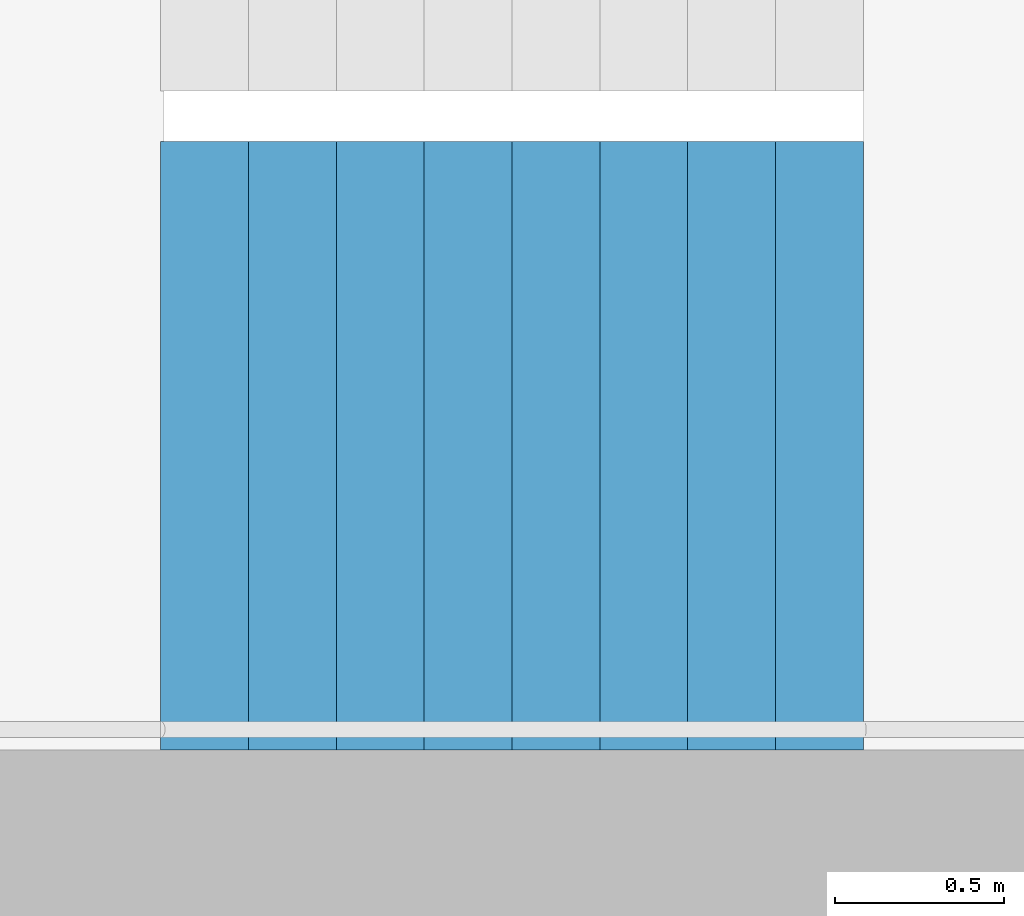
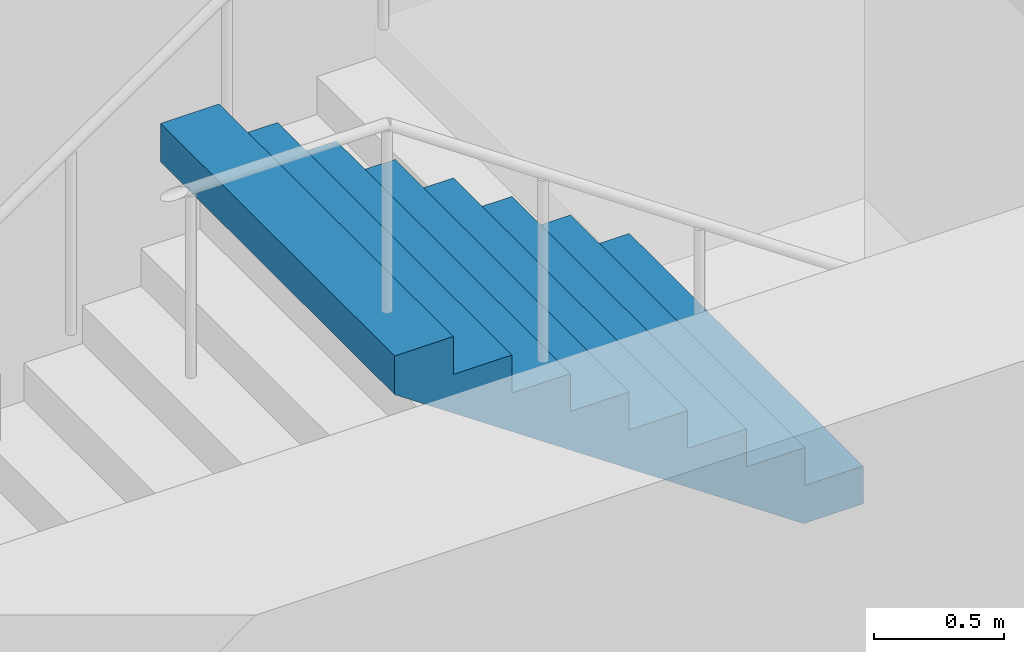
# One storey, part 21 of 25: 1 stair flight, 1 element without a shape of its own.
"""IFC4 building model written with IfcOpenShell, lengths in metres."""

from ifc_helpers import new_model, si_unit, direction, frame, origin, place, context, subcontext, project, spatial, triangles, material, type_object, element, aggregate, save


model = new_model("IFC4")

# Units and contexts
model_context = context("Model", 3, precision=1e-05, world=origin(), true_north=direction((0.0, 1.0)))
body_context = subcontext(model_context, "Body", "Model", "MODEL_VIEW")
ifc_project = project(units=[si_unit("LENGTHUNIT", "METRE"), si_unit("AREAUNIT", "SQUARE_METRE"), si_unit("VOLUMEUNIT", "CUBIC_METRE"), si_unit("PLANEANGLEUNIT", "RADIAN"), si_unit("MASSUNIT", "GRAM", prefix="KILO")], contexts=[model_context])

# Site, building, storey
site_placement = place(None, origin())
site = spatial("IfcSite", under=ifc_project, at=site_placement, CompositionType="ELEMENT")
building_placement = place(site_placement, origin())
building = spatial("IfcBuilding", under=site, at=building_placement, Name="Hakoniwa Tower and Hamabe Station Hall", CompositionType="ELEMENT")
storey_placement = place(building_placement, frame((0.0, 0.0, 147.0)))
storey = spatial("IfcBuildingStorey", under=building, at=storey_placement, Name="L41", CompositionType="ELEMENT", Elevation=147.0)

# Stair, stair flight
ifc_material_1 = material(Name="Concrete C40", Category="concrete")
stair_type = type_object("IfcStairType", Name="ESCAPE STAIR 1800", PredefinedType="HALF_TURN_STAIR", material=ifc_material_1)
stair_placement = place(storey_placement, origin())
stair = element("IfcStair", 1, at=stair_placement, inside=storey, type_object=stair_type, Name="Escape stair ST-4 L41", PredefinedType="HALF_TURN_STAIR")
ifc_material_2 = material(Name="Concrete C40", Category="concrete")
stair_flight_type = type_object("IfcStairFlightType", Name="STAIR FLIGHT 1800", PredefinedType="STRAIGHT", material=ifc_material_2)
stair_flight_placement = place(storey_placement, frame((25.47998046875, -6.60009765625, 1.60009765625), z_axis=(0.0, 0.0, 1.0), x_axis=(-1.0, 0.0, 0.0)))
stair_flight = element("IfcStairFlight", 2, at=stair_flight_placement, type_object=stair_flight_type, Name="ST-4 flight 2", NumberOfRisers=9, NumberOfTreads=8, PredefinedType="STRAIGHT", RiserHeight=0.177777778, TreadLength=0.26, context=body_context, shape_type="Tessellation", body=[
    triangles([(0.0, 0.89990234375, 0.0), (0.260009765625, 0.89990234375, 0.0), (0.265625, 0.89990234375, 0.0), (0.52001953125, 0.89990234375, 0.174072265625), (0.780029296875, 0.89990234375, 0.351806640625), (1.0400390625, 0.89990234375, 0.529541015625), (1.300048828125, 0.89990234375, 0.707275390625), (1.56005859375, 0.89990234375, 0.885009765625), (1.820068359375, 0.89990234375, 1.062744140625), (2.080078125, 0.89990234375, 1.24072265625), (2.080078125, 0.89990234375, 1.422119140625), (1.820068359375, 0.89990234375, 1.422119140625), (1.820068359375, 0.89990234375, 1.244384765625), (1.56005859375, 0.89990234375, 1.244384765625), (1.56005859375, 0.89990234375, 1.066650390625), (1.300048828125, 0.89990234375, 1.066650390625), (1.300048828125, 0.89990234375, 0.888916015625), (1.0400390625, 0.89990234375, 0.888916015625), (1.0400390625, 0.89990234375, 0.711181640625), (0.780029296875, 0.89990234375, 0.711181640625), (0.780029296875, 0.89990234375, 0.533447265625), (0.52001953125, 0.89990234375, 0.533447265625), (0.52001953125, 0.89990234375, 0.35546875), (0.265625, 0.89990234375, 0.35546875), (0.260009765625, 0.89990234375, 0.35546875), (0.260009765625, 0.89990234375, 0.177734375), (0.0, 0.89990234375, 0.177734375), (0.0, 0.06005859375, 0.0), (0.260009765625, 0.06005859375, 0.0), (0.265625, 0.06005859375, 0.0), (0.52001953125, 0.06005859375, 0.174072265625), (0.780029296875, 0.06005859375, 0.351806640625), (1.0400390625, 0.06005859375, 0.529541015625), (1.300048828125, 0.06005859375, 0.707275390625), (1.56005859375, 0.06005859375, 0.885009765625), (1.820068359375, 0.06005859375, 1.062744140625), (2.080078125, 0.06005859375, 1.24072265625), (2.080078125, 0.06005859375, 1.422119140625), (1.820068359375, 0.06005859375, 1.422119140625), (1.820068359375, 0.06005859375, 1.244384765625), (1.56005859375, 0.06005859375, 1.244384765625), (1.56005859375, 0.06005859375, 1.066650390625), (1.300048828125, 0.06005859375, 1.066650390625), (1.300048828125, 0.06005859375, 0.888916015625), (1.0400390625, 0.06005859375, 0.888916015625), (1.0400390625, 0.06005859375, 0.711181640625), (0.780029296875, 0.06005859375, 0.711181640625), (0.780029296875, 0.06005859375, 0.533447265625), (0.52001953125, 0.06005859375, 0.533447265625), (0.52001953125, 0.06005859375, 0.35546875), (0.265625, 0.06005859375, 0.35546875), (0.260009765625, 0.06005859375, 0.35546875), (0.260009765625, 0.06005859375, 0.177734375), (0.0, 0.06005859375, 0.177734375), (0.0, 0.04296875, 0.0), (0.260009765625, 0.04296875, 0.0), (0.265625, 0.04296875, 0.0), (0.52001953125, 0.04296875, 0.174072265625), (0.780029296875, 0.04296875, 0.351806640625), (1.0400390625, 0.04296875, 0.529541015625), (1.300048828125, 0.04296875, 0.707275390625), (1.56005859375, 0.04296875, 0.885009765625), (1.820068359375, 0.04296875, 1.062744140625), (2.080078125, 0.04296875, 1.24072265625), (2.080078125, 0.04296875, 1.422119140625), (1.820068359375, 0.04296875, 1.422119140625), (1.820068359375, 0.04296875, 1.244384765625), (1.56005859375, 0.04296875, 1.244384765625), (1.56005859375, 0.04296875, 1.066650390625), (1.300048828125, 0.04296875, 1.066650390625), (1.300048828125, 0.04296875, 0.888916015625), (1.0400390625, 0.04296875, 0.888916015625), (1.0400390625, 0.04296875, 0.711181640625), (0.780029296875, 0.04296875, 0.711181640625), (0.780029296875, 0.04296875, 0.533447265625), (0.52001953125, 0.04296875, 0.533447265625), (0.52001953125, 0.04296875, 0.35546875), (0.265625, 0.04296875, 0.35546875), (0.260009765625, 0.04296875, 0.35546875), (0.260009765625, 0.04296875, 0.177734375), (0.0, 0.04296875, 0.177734375), (0.0, 0.025634765625, 0.0), (0.260009765625, 0.025634765625, 0.0), (0.265625, 0.025634765625, 0.0), (0.52001953125, 0.025634765625, 0.174072265625), (0.780029296875, 0.025634765625, 0.351806640625), (1.0400390625, 0.025634765625, 0.529541015625), (1.300048828125, 0.025634765625, 0.707275390625), (1.56005859375, 0.025634765625, 0.885009765625), (1.820068359375, 0.025634765625, 1.062744140625), (2.080078125, 0.025634765625, 1.24072265625), (2.080078125, 0.025634765625, 1.422119140625), (1.820068359375, 0.025634765625, 1.422119140625), (1.820068359375, 0.025634765625, 1.244384765625), (1.56005859375, 0.025634765625, 1.244384765625), (1.56005859375, 0.025634765625, 1.066650390625), (1.300048828125, 0.025634765625, 1.066650390625), (1.300048828125, 0.025634765625, 0.888916015625), (1.0400390625, 0.025634765625, 0.888916015625), (1.0400390625, 0.025634765625, 0.711181640625), (0.780029296875, 0.025634765625, 0.711181640625), (0.780029296875, 0.025634765625, 0.533447265625), (0.52001953125, 0.025634765625, 0.533447265625), (0.52001953125, 0.025634765625, 0.35546875), (0.265625, 0.025634765625, 0.35546875), (0.260009765625, 0.025634765625, 0.35546875), (0.260009765625, 0.025634765625, 0.177734375), (0.0, 0.025634765625, 0.177734375), (0.0, 0.008544921875, 0.0), (0.260009765625, 0.008544921875, 0.0), (0.265625, 0.008544921875, 0.0), (0.52001953125, 0.008544921875, 0.174072265625), (0.780029296875, 0.008544921875, 0.351806640625), (1.0400390625, 0.008544921875, 0.529541015625), (1.300048828125, 0.008544921875, 0.707275390625), (1.56005859375, 0.008544921875, 0.885009765625), (1.820068359375, 0.008544921875, 1.062744140625), (2.080078125, 0.008544921875, 1.24072265625), (2.080078125, 0.008544921875, 1.422119140625), (1.820068359375, 0.008544921875, 1.422119140625), (1.820068359375, 0.008544921875, 1.244384765625), (1.56005859375, 0.008544921875, 1.244384765625), (1.56005859375, 0.008544921875, 1.066650390625), (1.300048828125, 0.008544921875, 1.066650390625), (1.300048828125, 0.008544921875, 0.888916015625), (1.0400390625, 0.008544921875, 0.888916015625), (1.0400390625, 0.008544921875, 0.711181640625), (0.780029296875, 0.008544921875, 0.711181640625), (0.780029296875, 0.008544921875, 0.533447265625), (0.52001953125, 0.008544921875, 0.533447265625), (0.52001953125, 0.008544921875, 0.35546875), (0.265625, 0.008544921875, 0.35546875), (0.260009765625, 0.008544921875, 0.35546875), (0.260009765625, 0.008544921875, 0.177734375), (0.0, 0.008544921875, 0.177734375), (0.0, -0.008544921875, 0.0), (0.260009765625, -0.008544921875, 0.0), (0.265625, -0.008544921875, 0.0), (0.52001953125, -0.008544921875, 0.174072265625), (0.780029296875, -0.008544921875, 0.351806640625), (1.0400390625, -0.008544921875, 0.529541015625), (1.300048828125, -0.008544921875, 0.707275390625), (1.56005859375, -0.008544921875, 0.885009765625), (1.820068359375, -0.008544921875, 1.062744140625), (2.080078125, -0.008544921875, 1.24072265625), (2.080078125, -0.008544921875, 1.422119140625), (1.820068359375, -0.008544921875, 1.422119140625), (1.820068359375, -0.008544921875, 1.244384765625), (1.56005859375, -0.008544921875, 1.244384765625), (1.56005859375, -0.008544921875, 1.066650390625), (1.300048828125, -0.008544921875, 1.066650390625), (1.300048828125, -0.008544921875, 0.888916015625), (1.0400390625, -0.008544921875, 0.888916015625), (1.0400390625, -0.008544921875, 0.711181640625), (0.780029296875, -0.008544921875, 0.711181640625), (0.780029296875, -0.008544921875, 0.533447265625), (0.52001953125, -0.008544921875, 0.533447265625), (0.52001953125, -0.008544921875, 0.35546875), (0.265625, -0.008544921875, 0.35546875), (0.260009765625, -0.008544921875, 0.35546875), (0.260009765625, -0.008544921875, 0.177734375), (0.0, -0.008544921875, 0.177734375), (0.0, -0.025634765625, 0.0), (0.260009765625, -0.025634765625, 0.0), (0.265625, -0.025634765625, 0.0), (0.52001953125, -0.025634765625, 0.174072265625), (0.780029296875, -0.025634765625, 0.351806640625), (1.0400390625, -0.025634765625, 0.529541015625), (1.300048828125, -0.025634765625, 0.707275390625), (1.56005859375, -0.025634765625, 0.885009765625), (1.820068359375, -0.025634765625, 1.062744140625), (2.080078125, -0.025634765625, 1.24072265625), (2.080078125, -0.025634765625, 1.422119140625), (1.820068359375, -0.025634765625, 1.422119140625), (1.820068359375, -0.025634765625, 1.244384765625), (1.56005859375, -0.025634765625, 1.244384765625), (1.56005859375, -0.025634765625, 1.066650390625), (1.300048828125, -0.025634765625, 1.066650390625), (1.300048828125, -0.025634765625, 0.888916015625), (1.0400390625, -0.025634765625, 0.888916015625), (1.0400390625, -0.025634765625, 0.711181640625), (0.780029296875, -0.025634765625, 0.711181640625), (0.780029296875, -0.025634765625, 0.533447265625), (0.52001953125, -0.025634765625, 0.533447265625), (0.52001953125, -0.025634765625, 0.35546875), (0.265625, -0.025634765625, 0.35546875), (0.260009765625, -0.025634765625, 0.35546875), (0.260009765625, -0.025634765625, 0.177734375), (0.0, -0.025634765625, 0.177734375), (0.0, -0.04296875, 0.0), (0.260009765625, -0.04296875, 0.0), (0.265625, -0.04296875, 0.0), (0.52001953125, -0.04296875, 0.174072265625), (0.780029296875, -0.04296875, 0.351806640625), (1.0400390625, -0.04296875, 0.529541015625), (1.300048828125, -0.04296875, 0.707275390625), (1.56005859375, -0.04296875, 0.885009765625), (1.820068359375, -0.04296875, 1.062744140625), (2.080078125, -0.04296875, 1.24072265625), (2.080078125, -0.04296875, 1.422119140625), (1.820068359375, -0.04296875, 1.422119140625), (1.820068359375, -0.04296875, 1.244384765625), (1.56005859375, -0.04296875, 1.244384765625), (1.56005859375, -0.04296875, 1.066650390625), (1.300048828125, -0.04296875, 1.066650390625), (1.300048828125, -0.04296875, 0.888916015625), (1.0400390625, -0.04296875, 0.888916015625), (1.0400390625, -0.04296875, 0.711181640625), (0.780029296875, -0.04296875, 0.711181640625), (0.780029296875, -0.04296875, 0.533447265625), (0.52001953125, -0.04296875, 0.533447265625), (0.52001953125, -0.04296875, 0.35546875), (0.265625, -0.04296875, 0.35546875), (0.260009765625, -0.04296875, 0.35546875), (0.260009765625, -0.04296875, 0.177734375), (0.0, -0.04296875, 0.177734375), (0.0, -0.06005859375, 0.0), (0.260009765625, -0.06005859375, 0.0), (0.265625, -0.06005859375, 0.0), (0.52001953125, -0.06005859375, 0.174072265625), (0.780029296875, -0.06005859375, 0.351806640625), (1.0400390625, -0.06005859375, 0.529541015625), (1.300048828125, -0.06005859375, 0.707275390625), (1.56005859375, -0.06005859375, 0.885009765625), (1.820068359375, -0.06005859375, 1.062744140625), (2.080078125, -0.06005859375, 1.24072265625), (2.080078125, -0.06005859375, 1.422119140625), (1.820068359375, -0.06005859375, 1.422119140625), (1.820068359375, -0.06005859375, 1.244384765625), (1.56005859375, -0.06005859375, 1.244384765625), (1.56005859375, -0.06005859375, 1.066650390625), (1.300048828125, -0.06005859375, 1.066650390625), (1.300048828125, -0.06005859375, 0.888916015625), (1.0400390625, -0.06005859375, 0.888916015625), (1.0400390625, -0.06005859375, 0.711181640625), (0.780029296875, -0.06005859375, 0.711181640625), (0.780029296875, -0.06005859375, 0.533447265625), (0.52001953125, -0.06005859375, 0.533447265625), (0.52001953125, -0.06005859375, 0.35546875), (0.265625, -0.06005859375, 0.35546875), (0.260009765625, -0.06005859375, 0.35546875), (0.260009765625, -0.06005859375, 0.177734375), (0.0, -0.06005859375, 0.177734375), (0.0, -0.89990234375, 0.0), (0.260009765625, -0.89990234375, 0.0), (0.265625, -0.89990234375, 0.0), (0.52001953125, -0.89990234375, 0.174072265625), (0.780029296875, -0.89990234375, 0.351806640625), (1.0400390625, -0.89990234375, 0.529541015625), (1.300048828125, -0.89990234375, 0.707275390625), (1.56005859375, -0.89990234375, 0.885009765625), (1.820068359375, -0.89990234375, 1.062744140625), (2.080078125, -0.89990234375, 1.24072265625), (2.080078125, -0.89990234375, 1.422119140625), (1.820068359375, -0.89990234375, 1.422119140625), (1.820068359375, -0.89990234375, 1.244384765625), (1.56005859375, -0.89990234375, 1.244384765625), (1.56005859375, -0.89990234375, 1.066650390625), (1.300048828125, -0.89990234375, 1.066650390625), (1.300048828125, -0.89990234375, 0.888916015625), (1.0400390625, -0.89990234375, 0.888916015625), (1.0400390625, -0.89990234375, 0.711181640625), (0.780029296875, -0.89990234375, 0.711181640625), (0.780029296875, -0.89990234375, 0.533447265625), (0.52001953125, -0.89990234375, 0.533447265625), (0.52001953125, -0.89990234375, 0.35546875), (0.265625, -0.89990234375, 0.35546875), (0.260009765625, -0.89990234375, 0.35546875), (0.260009765625, -0.89990234375, 0.177734375), (0.0, -0.89990234375, 0.177734375)], [[2, 27, 26], [245, 269, 270], [2, 1, 27], [245, 270, 244], [3, 25, 24], [246, 267, 268], [3, 26, 25], [246, 268, 269], [3, 2, 26], [246, 269, 245], [4, 24, 23], [247, 266, 267], [4, 3, 24], [247, 267, 246], [5, 22, 21], [248, 264, 265], [5, 23, 22], [248, 265, 266], [5, 4, 23], [248, 266, 247], [6, 20, 19], [249, 262, 263], [6, 21, 20], [249, 263, 264], [6, 5, 21], [249, 264, 248], [7, 18, 17], [250, 260, 261], [7, 19, 18], [250, 261, 262], [7, 6, 19], [250, 262, 249], [8, 16, 15], [251, 258, 259], [8, 17, 16], [251, 259, 260], [8, 7, 17], [251, 260, 250], [9, 14, 13], [252, 256, 257], [9, 15, 14], [252, 257, 258], [9, 8, 15], [252, 258, 251], [10, 12, 11], [253, 254, 255], [10, 13, 12], [253, 255, 256], [10, 9, 13], [253, 256, 252], [1, 2, 29], [1, 29, 28], [28, 29, 56], [28, 56, 55], [55, 56, 83], [55, 83, 82], [82, 83, 110], [82, 110, 109], [109, 110, 137], [109, 137, 136], [136, 137, 164], [136, 164, 163], [163, 164, 191], [163, 191, 190], [190, 191, 218], [190, 218, 217], [217, 218, 245], [217, 245, 244], [2, 3, 30], [2, 30, 29], [29, 30, 57], [29, 57, 56], [56, 57, 84], [56, 84, 83], [83, 84, 111], [83, 111, 110], [110, 111, 138], [110, 138, 137], [137, 138, 165], [137, 165, 164], [164, 165, 192], [164, 192, 191], [191, 192, 219], [191, 219, 218], [218, 219, 246], [218, 246, 245], [3, 4, 31], [3, 31, 30], [30, 31, 58], [30, 58, 57], [57, 58, 85], [57, 85, 84], [84, 85, 112], [84, 112, 111], [111, 112, 139], [111, 139, 138], [138, 139, 166], [138, 166, 165], [165, 166, 193], [165, 193, 192], [192, 193, 220], [192, 220, 219], [219, 220, 247], [219, 247, 246], [4, 5, 32], [4, 32, 31], [31, 32, 59], [31, 59, 58], [58, 59, 86], [58, 86, 85], [85, 86, 113], [85, 113, 112], [112, 113, 140], [112, 140, 139], [139, 140, 167], [139, 167, 166], [166, 167, 194], [166, 194, 193], [193, 194, 221], [193, 221, 220], [220, 221, 248], [220, 248, 247], [5, 6, 33], [5, 33, 32], [32, 33, 60], [32, 60, 59], [59, 60, 87], [59, 87, 86], [86, 87, 114], [86, 114, 113], [113, 114, 141], [113, 141, 140], [140, 141, 168], [140, 168, 167], [167, 168, 195], [167, 195, 194], [194, 195, 222], [194, 222, 221], [221, 222, 249], [221, 249, 248], [6, 7, 34], [6, 34, 33], [33, 34, 61], [33, 61, 60], [60, 61, 88], [60, 88, 87], [87, 88, 115], [87, 115, 114], [114, 115, 142], [114, 142, 141], [141, 142, 169], [141, 169, 168], [168, 169, 196], [168, 196, 195], [195, 196, 223], [195, 223, 222], [222, 223, 250], [222, 250, 249], [7, 8, 35], [7, 35, 34], [34, 35, 62], [34, 62, 61], [61, 62, 89], [61, 89, 88], [88, 89, 116], [88, 116, 115], [115, 116, 143], [115, 143, 142], [142, 143, 170], [142, 170, 169], [169, 170, 197], [169, 197, 196], [196, 197, 224], [196, 224, 223], [223, 224, 251], [223, 251, 250], [8, 9, 36], [8, 36, 35], [35, 36, 63], [35, 63, 62], [62, 63, 90], [62, 90, 89], [89, 90, 117], [89, 117, 116], [116, 117, 144], [116, 144, 143], [143, 144, 171], [143, 171, 170], [170, 171, 198], [170, 198, 197], [197, 198, 225], [197, 225, 224], [224, 225, 252], [224, 252, 251], [9, 10, 37], [9, 37, 36], [36, 37, 64], [36, 64, 63], [63, 64, 91], [63, 91, 90], [90, 91, 118], [90, 118, 117], [117, 118, 145], [117, 145, 144], [144, 145, 172], [144, 172, 171], [171, 172, 199], [171, 199, 198], [198, 199, 226], [198, 226, 225], [225, 226, 253], [225, 253, 252], [10, 11, 38], [10, 38, 37], [37, 38, 65], [37, 65, 64], [64, 65, 92], [64, 92, 91], [91, 92, 119], [91, 119, 118], [118, 119, 146], [118, 146, 145], [145, 146, 173], [145, 173, 172], [172, 173, 200], [172, 200, 199], [199, 200, 227], [199, 227, 226], [226, 227, 254], [226, 254, 253], [11, 12, 39], [11, 39, 38], [38, 39, 66], [38, 66, 65], [65, 66, 93], [65, 93, 92], [92, 93, 120], [92, 120, 119], [119, 120, 147], [119, 147, 146], [146, 147, 174], [146, 174, 173], [173, 174, 201], [173, 201, 200], [200, 201, 228], [200, 228, 227], [227, 228, 255], [227, 255, 254], [12, 13, 40], [12, 40, 39], [39, 40, 67], [39, 67, 66], [66, 67, 94], [66, 94, 93], [93, 94, 121], [93, 121, 120], [120, 121, 148], [120, 148, 147], [147, 148, 175], [147, 175, 174], [174, 175, 202], [174, 202, 201], [201, 202, 229], [201, 229, 228], [228, 229, 256], [228, 256, 255], [13, 14, 41], [13, 41, 40], [40, 41, 68], [40, 68, 67], [67, 68, 95], [67, 95, 94], [94, 95, 122], [94, 122, 121], [121, 122, 149], [121, 149, 148], [148, 149, 176], [148, 176, 175], [175, 176, 203], [175, 203, 202], [202, 203, 230], [202, 230, 229], [229, 230, 257], [229, 257, 256], [14, 15, 42], [14, 42, 41], [41, 42, 69], [41, 69, 68], [68, 69, 96], [68, 96, 95], [95, 96, 123], [95, 123, 122], [122, 123, 150], [122, 150, 149], [149, 150, 177], [149, 177, 176], [176, 177, 204], [176, 204, 203], [203, 204, 231], [203, 231, 230], [230, 231, 258], [230, 258, 257], [15, 16, 43], [15, 43, 42], [42, 43, 70], [42, 70, 69], [69, 70, 97], [69, 97, 96], [96, 97, 124], [96, 124, 123], [123, 124, 151], [123, 151, 150], [150, 151, 178], [150, 178, 177], [177, 178, 205], [177, 205, 204], [204, 205, 232], [204, 232, 231], [231, 232, 259], [231, 259, 258], [16, 17, 44], [16, 44, 43], [43, 44, 71], [43, 71, 70], [70, 71, 98], [70, 98, 97], [97, 98, 125], [97, 125, 124], [124, 125, 152], [124, 152, 151], [151, 152, 179], [151, 179, 178], [178, 179, 206], [178, 206, 205], [205, 206, 233], [205, 233, 232], [232, 233, 260], [232, 260, 259], [17, 18, 45], [17, 45, 44], [44, 45, 72], [44, 72, 71], [71, 72, 99], [71, 99, 98], [98, 99, 126], [98, 126, 125], [125, 126, 153], [125, 153, 152], [152, 153, 180], [152, 180, 179], [179, 180, 207], [179, 207, 206], [206, 207, 234], [206, 234, 233], [233, 234, 261], [233, 261, 260], [18, 19, 46], [18, 46, 45], [45, 46, 73], [45, 73, 72], [72, 73, 100], [72, 100, 99], [99, 100, 127], [99, 127, 126], [126, 127, 154], [126, 154, 153], [153, 154, 181], [153, 181, 180], [180, 181, 208], [180, 208, 207], [207, 208, 235], [207, 235, 234], [234, 235, 262], [234, 262, 261], [19, 20, 47], [19, 47, 46], [46, 47, 74], [46, 74, 73], [73, 74, 101], [73, 101, 100], [100, 101, 128], [100, 128, 127], [127, 128, 155], [127, 155, 154], [154, 155, 182], [154, 182, 181], [181, 182, 209], [181, 209, 208], [208, 209, 236], [208, 236, 235], [235, 236, 263], [235, 263, 262], [20, 21, 48], [20, 48, 47], [47, 48, 75], [47, 75, 74], [74, 75, 102], [74, 102, 101], [101, 102, 129], [101, 129, 128], [128, 129, 156], [128, 156, 155], [155, 156, 183], [155, 183, 182], [182, 183, 210], [182, 210, 209], [209, 210, 237], [209, 237, 236], [236, 237, 264], [236, 264, 263], [21, 22, 49], [21, 49, 48], [48, 49, 76], [48, 76, 75], [75, 76, 103], [75, 103, 102], [102, 103, 130], [102, 130, 129], [129, 130, 157], [129, 157, 156], [156, 157, 184], [156, 184, 183], [183, 184, 211], [183, 211, 210], [210, 211, 238], [210, 238, 237], [237, 238, 265], [237, 265, 264], [22, 23, 50], [22, 50, 49], [49, 50, 77], [49, 77, 76], [76, 77, 104], [76, 104, 103], [103, 104, 131], [103, 131, 130], [130, 131, 158], [130, 158, 157], [157, 158, 185], [157, 185, 184], [184, 185, 212], [184, 212, 211], [211, 212, 239], [211, 239, 238], [238, 239, 266], [238, 266, 265], [23, 24, 51], [23, 51, 50], [50, 51, 78], [50, 78, 77], [77, 78, 105], [77, 105, 104], [104, 105, 132], [104, 132, 131], [131, 132, 159], [131, 159, 158], [158, 159, 186], [158, 186, 185], [185, 186, 213], [185, 213, 212], [212, 213, 240], [212, 240, 239], [239, 240, 267], [239, 267, 266], [24, 25, 52], [24, 52, 51], [51, 52, 79], [51, 79, 78], [78, 79, 106], [78, 106, 105], [105, 106, 133], [105, 133, 132], [132, 133, 160], [132, 160, 159], [159, 160, 187], [159, 187, 186], [186, 187, 214], [186, 214, 213], [213, 214, 241], [213, 241, 240], [240, 241, 268], [240, 268, 267], [25, 26, 53], [25, 53, 52], [52, 53, 80], [52, 80, 79], [79, 80, 107], [79, 107, 106], [106, 107, 134], [106, 134, 133], [133, 134, 161], [133, 161, 160], [160, 161, 188], [160, 188, 187], [187, 188, 215], [187, 215, 214], [214, 215, 242], [214, 242, 241], [241, 242, 269], [241, 269, 268], [26, 27, 54], [26, 54, 53], [53, 54, 81], [53, 81, 80], [80, 81, 108], [80, 108, 107], [107, 108, 135], [107, 135, 134], [134, 135, 162], [134, 162, 161], [161, 162, 189], [161, 189, 188], [188, 189, 216], [188, 216, 215], [215, 216, 243], [215, 243, 242], [242, 243, 270], [242, 270, 269], [27, 1, 28], [27, 28, 54], [54, 28, 55], [54, 55, 81], [81, 55, 82], [81, 82, 108], [108, 82, 109], [108, 109, 135], [135, 109, 136], [135, 136, 162], [162, 136, 163], [162, 163, 189], [189, 163, 190], [189, 190, 216], [216, 190, 217], [216, 217, 243], [243, 217, 244], [243, 244, 270]], closed=True),
])
aggregate(stair, [stair_flight])

save(model, "model.ifc")
